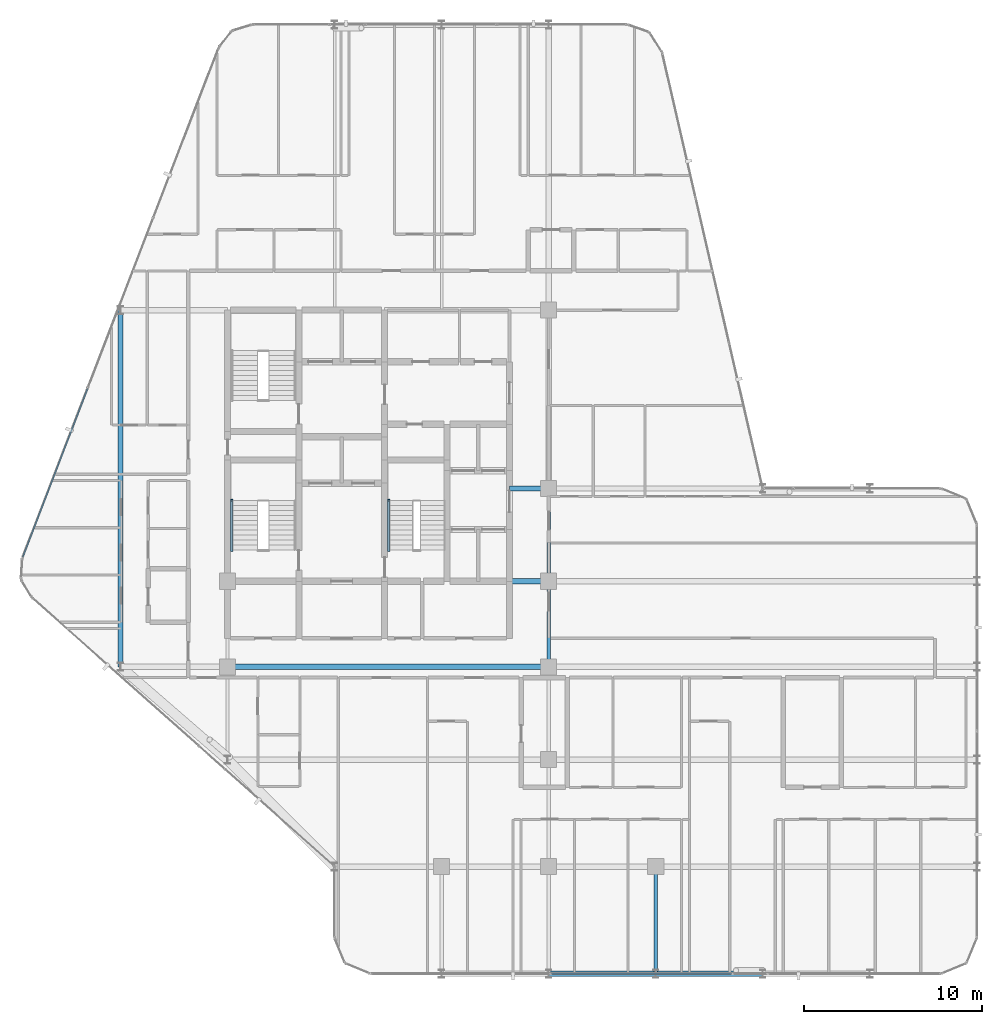
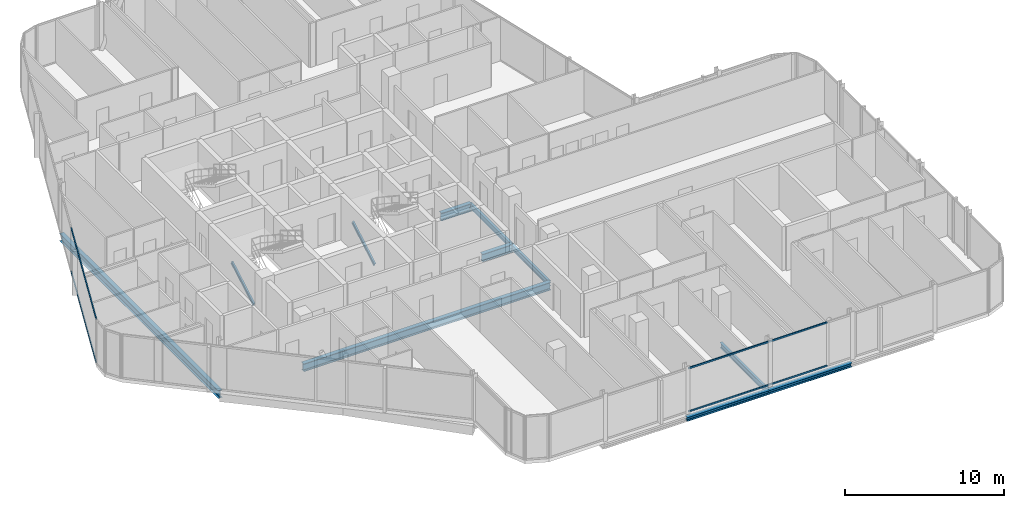
# One storey, part 9 of 29: 9 beams, 6 members, 2 elements without a shape of their own.
"""IFC4 building model written with IfcOpenShell, lengths in metres."""

from ifc_helpers import new_model, si_unit, direction, frame, origin, origin_2d, place, context, subcontext, project, spatial, hollow_rectangle, i_section, extrude, material, layer, layer_set, material_profile, profile_set, type_object, element, aggregate, save


model = new_model("IFC4")

# Units and contexts
model_context = context("Model", 3, precision=1e-05, world=origin(), true_north=direction((0.0, 1.0)))
body_context = subcontext(model_context, "Body", "Model", "MODEL_VIEW")
ifc_project = project(units=[si_unit("LENGTHUNIT", "METRE"), si_unit("AREAUNIT", "SQUARE_METRE"), si_unit("VOLUMEUNIT", "CUBIC_METRE"), si_unit("PLANEANGLEUNIT", "RADIAN"), si_unit("MASSUNIT", "GRAM", prefix="KILO")], contexts=[model_context])

# Site, building, storey
site_placement = place(None, origin())
site = spatial("IfcSite", under=ifc_project, at=site_placement, CompositionType="ELEMENT")
building_placement = place(site_placement, origin())
building = spatial("IfcBuilding", under=site, at=building_placement, Name="Keshet Zoharim Tower", CompositionType="ELEMENT")
storey_placement = place(building_placement, frame((0.0, 0.0, 188.39990234375)))
storey = spatial("IfcBuildingStorey", under=building, at=storey_placement, Name="L46", CompositionType="ELEMENT", Elevation=188.39990234375)

# Beams
ifc_material_1 = material(Name="Steel S355", Category="steel")
ifc_material_profile_1 = material_profile(ifc_material_1, i_section(OverallWidth=0.300048828125, OverallDepth=0.60009765625, WebThickness=0.015380859375, FlangeThickness=0.030029296875, FilletRadius=0.027099609375, at=origin_2d()), Name="HEB600")
ifc_profile_set_1 = profile_set([ifc_material_profile_1], Name="Steel S355")
beam_type_1 = type_object("IfcBeamType", Name="BM-CLK-HB600", PredefinedType="BEAM", material=ifc_profile_set_1)
for number, where, z_axis, x_axis, name in (
    (1, (30.800048828125, 22.699951171875, -0.60986328125), (1.0, 0.0, 0.0), (0.0, 1.0, 0.0), "L46 Core Wall Link Girder 01"),
    (2, (30.800048828125, 27.89990234375, -0.60986328125), (1.0, 0.0, 0.0), (0.0, 1.0, 0.0), "L46 Core Wall Link Girder 02"),
):
    element("IfcBeam", number, at=place(storey_placement, frame(where, z_axis=z_axis, x_axis=x_axis)), inside=storey, type_object=beam_type_1, Name=name, PredefinedType="BEAM", context=body_context, shape_type="SweptSolid", body=[
        extrude(i_section(OverallWidth=0.300048828125, OverallDepth=0.60009765625, WebThickness=0.015380859375, FlangeThickness=0.030029296875, FilletRadius=0.027099609375, at=origin_2d()), origin(), (0.0, 0.0, 1.0), 2.199951171875),
    ])
ifc_material_profile_2 = material_profile(ifc_material_1, i_section(OverallWidth=0.300048828125, OverallDepth=0.60009765625, WebThickness=0.015380859375, FlangeThickness=0.030029296875, FilletRadius=0.027099609375, at=origin_2d()), Name="HEB600")
ifc_profile_set_2 = profile_set([ifc_material_profile_2], Name="Steel S355")
beam_type_2 = type_object("IfcBeamType", Name="BM-LNG-HB600", PredefinedType="BEAM", material=ifc_profile_set_2)
beam_1_placement = place(storey_placement, frame((15.0, 17.89990234375, -0.60986328125), z_axis=(1.0, 0.0, 0.0), x_axis=(0.0, 1.0, 0.0)))
element("IfcBeam", 3, at=beam_1_placement, inside=storey, type_object=beam_type_2, Name="L46 Primary Girder X-012", PredefinedType="BEAM", context=body_context, shape_type="SweptSolid", body=[
    extrude(i_section(OverallWidth=0.300048828125, OverallDepth=0.60009765625, WebThickness=0.015380859375, FlangeThickness=0.030029296875, FilletRadius=0.027099609375, at=origin_2d()), origin(), (0.0, 0.0, 1.0), 18.0),
])
beam_2_placement = place(storey_placement, frame((9.0, 17.89990234375, -0.60986328125), z_axis=(0.0, 1.0, 0.0), x_axis=(-1.0, 0.0, 0.0)))
element("IfcBeam", 4, at=beam_2_placement, inside=storey, type_object=beam_type_2, Name="L46 Primary Girder Y-001", PredefinedType="BEAM", context=body_context, shape_type="SweptSolid", body=[
    extrude(i_section(OverallWidth=0.300048828125, OverallDepth=0.60009765625, WebThickness=0.015380859375, FlangeThickness=0.030029296875, FilletRadius=0.027099609375, at=origin_2d()), origin(), (0.0, 0.0, 1.0), 20.0),
])
ifc_material_profile_3 = material_profile(ifc_material_1, i_section(OverallWidth=0.300048828125, OverallDepth=0.300048828125, WebThickness=0.010986328125, FlangeThickness=0.01904296875, FilletRadius=0.027099609375, at=origin_2d()), Name="HEB300")
ifc_profile_set_3 = profile_set([ifc_material_profile_3], Name="Steel S355")
beam_type_3 = type_object("IfcBeamType", Name="BM-PRI-HB300", PredefinedType="BEAM", material=ifc_profile_set_3)
for number, where, z_axis, x_axis, name in (
    (5, (33.0, 0.699951171875, -0.4599609375), (1.0, 0.0, 0.0), (0.0, 1.0, 0.0), "L46 Primary Girder X-002"),
    (6, (39.0, 0.699951171875, -0.4599609375), (1.0, 0.0, 0.0), (0.0, 1.0, 0.0), "L46 Primary Girder X-003"),
):
    element("IfcBeam", number, at=place(storey_placement, frame(where, z_axis=z_axis, x_axis=x_axis)), inside=storey, type_object=beam_type_3, Name=name, PredefinedType="BEAM", context=body_context, shape_type="SweptSolid", body=[
        extrude(i_section(OverallWidth=0.300048828125, OverallDepth=0.300048828125, WebThickness=0.010986328125, FlangeThickness=0.01904296875, FilletRadius=0.027099609375, at=origin_2d()), origin(), (0.0, 0.0, 1.0), 6.0),
    ])
ifc_material_profile_4 = material_profile(ifc_material_1, i_section(OverallWidth=0.179931640625, OverallDepth=0.39990234375, WebThickness=0.008544921875, FlangeThickness=0.013427734375, FilletRadius=0.02099609375, at=origin_2d()), Name="IPE400")
ifc_profile_set_4 = profile_set([ifc_material_profile_4], Name="Steel S355")
beam_type_4 = type_object("IfcBeamType", Name="BM-PRI-IP400", PredefinedType="BEAM", material=ifc_profile_set_4)
beam_3_placement = place(storey_placement, frame((33.0, 17.89990234375, -0.510009765625), z_axis=(0.0, 1.0, 0.0), x_axis=(-1.0, 0.0, 0.0)))
element("IfcBeam", 7, at=beam_3_placement, inside=storey, type_object=beam_type_4, Name="L46 Primary Girder Y-008", PredefinedType="BEAM", context=body_context, shape_type="SweptSolid", body=[
    extrude(i_section(OverallWidth=0.179931640625, OverallDepth=0.39990234375, WebThickness=0.008544921875, FlangeThickness=0.013427734375, FilletRadius=0.02099609375, at=origin_2d()), origin(), (0.0, 0.0, 1.0), 4.800048828125),
])
beam_4_placement = place(storey_placement, frame((33.0, 22.699951171875, -0.510009765625), z_axis=(0.0, 1.0, 0.0), x_axis=(-1.0, 0.0, 0.0)))
element("IfcBeam", 8, at=beam_4_placement, inside=storey, type_object=beam_type_4, Name="L46 Primary Girder Y-009", PredefinedType="BEAM", context=body_context, shape_type="SweptSolid", body=[
    extrude(i_section(OverallWidth=0.179931640625, OverallDepth=0.39990234375, WebThickness=0.008544921875, FlangeThickness=0.013427734375, FilletRadius=0.02099609375, at=origin_2d()), origin(), (0.0, 0.0, 1.0), 5.199951171875),
])
beam_5_placement = place(storey_placement, frame((39.0, 0.699951171875, -0.510009765625), z_axis=(0.0, 1.0, 0.0), x_axis=(-1.0, 0.0, 0.0)))
element("IfcBeam", 9, at=beam_5_placement, inside=storey, type_object=beam_type_4, Name="L46 Primary Girder Y-012", PredefinedType="BEAM", context=body_context, shape_type="SweptSolid", body=[
    extrude(i_section(OverallWidth=0.179931640625, OverallDepth=0.39990234375, WebThickness=0.008544921875, FlangeThickness=0.013427734375, FilletRadius=0.02099609375, at=origin_2d()), origin(), (0.0, 0.0, 1.0), 6.0),
])

# Curtain wall, members
ifc_material_2 = material(Name="Aluminium 6063-T6", Category="aluminium")
ifc_layer = layer(ifc_material_2, 0.139892578125)
ifc_layer_set = layer_set([ifc_layer], Name="Aluminium 6063-T6")
curtain_wall_type = type_object("IfcCurtainWallType", Name="CW-SYS-05", PredefinedType="NOTDEFINED", material=ifc_layer_set)
curtain_wall_1_placement = place(storey_placement, origin())
curtain_wall_1 = element("IfcCurtainWall", 10, at=curtain_wall_1_placement, inside=storey, type_object=curtain_wall_type, Name="L46 Unitised Curtain Wall 06 Part 3", PredefinedType="NOTDEFINED")
ifc_material_profile_5 = material_profile(ifc_material_2, hollow_rectangle(XDim=0.074951171875, YDim=0.1201171875, WallThickness=0.00390625, at=origin_2d()), Name="TRN-75x120")
ifc_profile_set_5 = profile_set([ifc_material_profile_5], Name="Aluminium 6063-T6")
member_type_1 = type_object("IfcMemberType", Name="CWT-T12", PredefinedType="USERDEFINED", material=ifc_profile_set_5)
member_1_placement = place(storey_placement, frame((43.251953125, 0.699951171875, 0.03515625), z_axis=(-1.0, 0.0, 0.0), x_axis=(0.0, -1.0, 0.0)))
member_1 = element("IfcMember", 11, at=member_1_placement, type_object=member_type_1, Name="CW-05 transom 1.1", ObjectType="TRANSOM", PredefinedType="USERDEFINED", context=body_context, shape_type="SweptSolid", body=[
    extrude(hollow_rectangle(XDim=0.074951171875, YDim=0.1201171875, WallThickness=0.00390625, at=origin_2d()), origin(), (0.0, 0.0, 1.0), 10.091064453125),
])
member_2_placement = place(storey_placement, frame((43.251953125, 0.699951171875, 3.35498046875), z_axis=(-1.0, 0.0, 0.0), x_axis=(0.0, -1.0, 0.0)))
member_2 = element("IfcMember", 12, at=member_2_placement, type_object=member_type_1, Name="CW-05 transom 1.2", ObjectType="TRANSOM", PredefinedType="USERDEFINED", context=body_context, shape_type="SweptSolid", body=[
    extrude(hollow_rectangle(XDim=0.074951171875, YDim=0.1201171875, WallThickness=0.00390625, at=origin_2d()), origin(), (0.0, 0.0, 1.0), 10.091064453125),
])
aggregate(curtain_wall_1, [member_1, member_2])

curtain_wall_2_placement = place(storey_placement, origin())
curtain_wall_2 = element("IfcCurtainWall", 13, at=curtain_wall_2_placement, inside=storey, type_object=curtain_wall_type, Name="L46 Unitised Curtain Wall 13", PredefinedType="NOTDEFINED")
member_3_placement = place(storey_placement, frame((3.522216796875, 24.058349609375, 0.03515625), z_axis=(0.358993631387, 0.93334000912, 0.0), x_axis=(-0.93334000912, 0.358993631387, 0.0)))
member_3 = element("IfcMember", 14, at=member_3_placement, type_object=member_type_1, Name="CW-05 transom 1.1", ObjectType="TRANSOM", PredefinedType="USERDEFINED", context=body_context, shape_type="SweptSolid", body=[
    extrude(hollow_rectangle(XDim=0.074951171875, YDim=0.1201171875, WallThickness=0.00390625, at=origin_2d()), origin(), (0.0, 0.0, 1.0), 10.1181640625),
])
member_4_placement = place(storey_placement, frame((3.522216796875, 24.058349609375, 3.35498046875), z_axis=(0.358993631387, 0.93334000912, 0.0), x_axis=(-0.93334000912, 0.358993631387, 0.0)))
member_4 = element("IfcMember", 15, at=member_4_placement, type_object=member_type_1, Name="CW-05 transom 1.2", ObjectType="TRANSOM", PredefinedType="USERDEFINED", context=body_context, shape_type="SweptSolid", body=[
    extrude(hollow_rectangle(XDim=0.074951171875, YDim=0.1201171875, WallThickness=0.00390625, at=origin_2d()), origin(), (0.0, 0.0, 1.0), 10.1181640625),
])
aggregate(curtain_wall_2, [member_3, member_4])

# Members
ifc_material_profile_6 = material_profile(ifc_material_1, i_section(OverallWidth=0.1201171875, OverallDepth=0.239990234375, WebThickness=0.006103515625, FlangeThickness=0.009765625, FilletRadius=0.014892578125, at=origin_2d()), Name="IPE240")
ifc_profile_set_6 = profile_set([ifc_material_profile_6], Name="Steel S355")
member_type_2 = type_object("IfcMemberType", Name="MB-STRG-IP240", PredefinedType="STRINGER", material=ifc_profile_set_6)
for number, where, z_axis, x_axis, name in (
    (16, (15.22998046875, 24.43994140625, 0.1201171875), (0.0, 0.866928350432, 0.498432779035), (-1.0, 0.0, 0.0), "L46 ST-01 Flight Steel Stringer"),
    (17, (24.030029296875, 24.43994140625, 0.1201171875), (0.0, 0.866928350432, 0.498432779035), (-1.0, 0.0, 0.0), "L46 ST-03 Flight Steel Stringer"),
):
    element("IfcMember", number, at=place(storey_placement, frame(where, z_axis=z_axis, x_axis=x_axis)), inside=storey, type_object=member_type_2, Name=name, PredefinedType="STRINGER", context=body_context, shape_type="SweptSolid", body=[
        extrude(i_section(OverallWidth=0.1201171875, OverallDepth=0.239990234375, WebThickness=0.006103515625, FlangeThickness=0.009765625, FilletRadius=0.014892578125, at=origin_2d()), origin(), (0.0, 0.0, 1.0), 3.229736328125),
    ])

save(model, "model.ifc")
